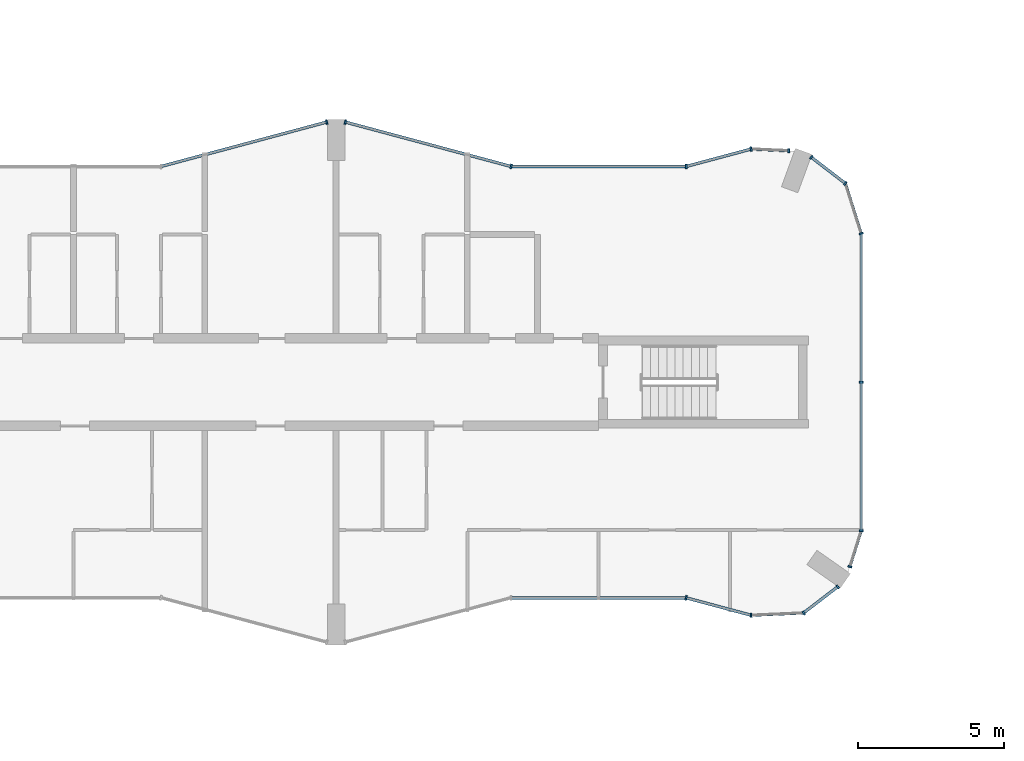
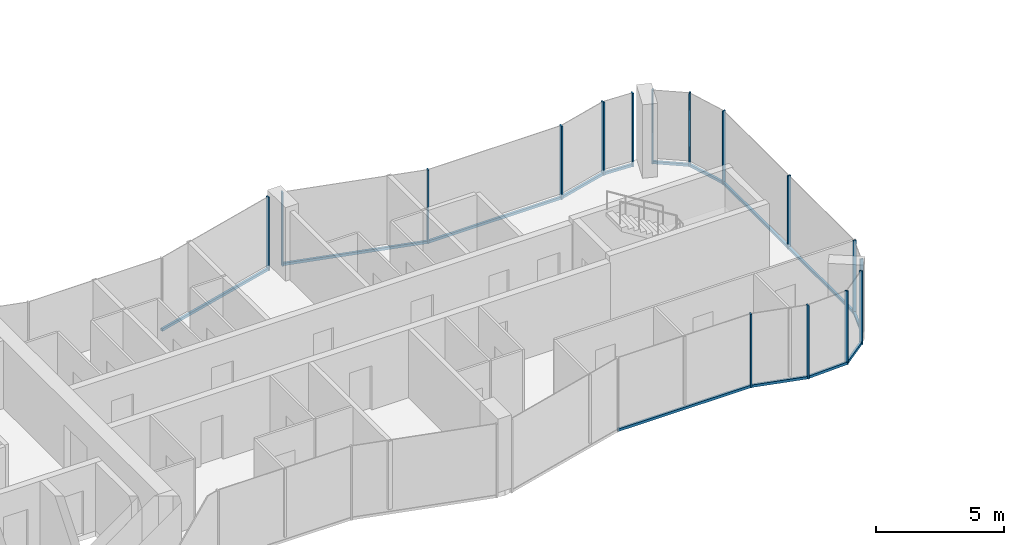
# One storey, part 5 of 22: 29 members, 13 elements without a shape of their own.
"""IFC4 building model written with IfcOpenShell, lengths in metres."""

from ifc_helpers import new_model, si_unit, direction, frame, origin, origin_2d, place, context, subcontext, project, spatial, rectangle, extrude, material, layer, layer_set, material_profile, profile_set, type_object, element, aggregate, save


model = new_model("IFC4")

# Units and contexts
model_context = context("Model", 3, precision=1e-05, world=origin(), true_north=direction((0.0, 1.0)))
body_context = subcontext(model_context, "Body", "Model", "MODEL_VIEW")
ifc_project = project(units=[si_unit("LENGTHUNIT", "METRE"), si_unit("AREAUNIT", "SQUARE_METRE"), si_unit("VOLUMEUNIT", "CUBIC_METRE"), si_unit("PLANEANGLEUNIT", "RADIAN"), si_unit("MASSUNIT", "GRAM", prefix="KILO")], contexts=[model_context])

# Site, building, storey
site_placement = place(None, origin())
site = spatial("IfcSite", under=ifc_project, at=site_placement, CompositionType="ELEMENT")
building_placement = place(site_placement, origin())
building = spatial("IfcBuilding", under=site, at=building_placement, Name="Plateau Cross Towers", CompositionType="ELEMENT")
storey_placement = place(building_placement, frame((0.0, 0.0, 99.300048828125)))
storey = spatial("IfcBuildingStorey", under=building, at=storey_placement, Name="L25", CompositionType="ELEMENT", Elevation=99.300048828125)

# Curtain wall, member
ifc_material_1 = material(Name="Dark low-iron glass", Category="glass")
ifc_layer_1 = layer(ifc_material_1, 0.239990234375)
ifc_layer_set_1 = layer_set([ifc_layer_1], Name="Dark low-iron glass")
curtain_wall_type_1 = type_object("IfcCurtainWallType", Name="Curtain wall flush unitised CW-B", PredefinedType="NOTDEFINED", material=ifc_layer_set_1)
curtain_wall_1_placement = place(storey_placement, origin())
curtain_wall_1 = element("IfcCurtainWall", 1, at=curtain_wall_1_placement, inside=storey, type_object=curtain_wall_type_1, Name="ENV/A/L25/A502_10", PredefinedType="NOTDEFINED")
ifc_material_2 = material(Name="Black anodised aluminium", Category="aluminium")
ifc_material_profile_1 = material_profile(ifc_material_2, rectangle(XDim=0.06005859375, YDim=0.139892578125, at=origin_2d()), Name="MULLION 60x140")
ifc_profile_set_1 = profile_set([ifc_material_profile_1], Name="Black anodised aluminium")
member_type_1 = type_object("IfcMemberType", Name="Mullion 60x140 flush unitised", PredefinedType="MULLION", material=ifc_profile_set_1)
member_1_placement = place(storey_placement, frame((50.223876953125, 1.01123046875, -0.25), z_axis=(0.0, 0.0, 1.0), x_axis=(0.999043701491, 0.043722791671, 0.0)))
member_1 = element("IfcMember", 2, at=member_1_placement, type_object=member_type_1, Name="CW-B mullion 1", PredefinedType="MULLION", context=body_context, shape_type="SweptSolid", body=[
    extrude(rectangle(XDim=0.06005859375, YDim=0.139892578125, at=origin_2d()), origin(), (0.0, 0.0, 1.0), 3.5),
])

# Curtain wall, members
curtain_wall_2_placement = place(storey_placement, origin())
curtain_wall_2 = element("IfcCurtainWall", 3, at=curtain_wall_2_placement, inside=storey, type_object=curtain_wall_type_1, Name="ENV/A/L25/A520_11", PredefinedType="NOTDEFINED")
member_2_placement = place(storey_placement, frame((52.0263671875, 1.090087890625, -0.25), z_axis=(0.0, 0.0, 1.0), x_axis=(0.793315514529, 0.608810721331, 0.0)))
member_2 = element("IfcMember", 4, at=member_2_placement, type_object=member_type_1, Name="CW-B mullion 1", PredefinedType="MULLION", context=body_context, shape_type="SweptSolid", body=[
    extrude(rectangle(XDim=0.06005859375, YDim=0.139892578125, at=origin_2d()), origin(), (0.0, 0.0, 1.0), 3.5),
])
member_3_placement = place(storey_placement, frame((53.193603515625, 1.986083984375, -0.25), z_axis=(0.0, 0.0, 1.0), x_axis=(0.793315514529, 0.608810721331, 0.0)))
member_3 = element("IfcMember", 5, at=member_3_placement, type_object=member_type_1, Name="CW-B mullion 2", PredefinedType="MULLION", context=body_context, shape_type="SweptSolid", body=[
    extrude(rectangle(XDim=0.06005859375, YDim=0.139892578125, at=origin_2d()), origin(), (0.0, 0.0, 1.0), 3.5),
])

# Curtain wall, member
curtain_wall_3_placement = place(storey_placement, origin())
curtain_wall_3 = element("IfcCurtainWall", 6, at=curtain_wall_3_placement, inside=storey, type_object=curtain_wall_type_1, Name="ENV/A/L25/A536_27", PredefinedType="NOTDEFINED")
member_4_placement = place(storey_placement, frame((53.611083984375, 2.67529296875, -0.25), z_axis=(0.0, 0.0, 1.0), x_axis=(0.300686174994, 0.95372313811, 0.0)))
member_4 = element("IfcMember", 7, at=member_4_placement, type_object=member_type_1, Name="CW-B mullion 1", PredefinedType="MULLION", context=body_context, shape_type="SweptSolid", body=[
    extrude(rectangle(XDim=0.06005859375, YDim=0.139892578125, at=origin_2d()), origin(), (0.0, 0.0, 1.0), 3.5),
])

# Curtain wall, members
curtain_wall_4_placement = place(storey_placement, origin())
curtain_wall_4 = element("IfcCurtainWall", 8, at=curtain_wall_4_placement, inside=storey, type_object=curtain_wall_type_1, Name="ENV/A/L25/A540_39", PredefinedType="NOTDEFINED")
member_5_placement = place(storey_placement, frame((54.0, 3.9091796875, -0.25), z_axis=(0.0, 0.0, 1.0), x_axis=(0.0, 1.0, 0.0)))
member_5 = element("IfcMember", 9, at=member_5_placement, type_object=member_type_1, Name="CW-B mullion 1", PredefinedType="MULLION", context=body_context, shape_type="SweptSolid", body=[
    extrude(rectangle(XDim=0.06005859375, YDim=0.139892578125, at=origin_2d()), origin(), (0.0, 0.0, 1.0), 3.5),
])
member_6_placement = place(storey_placement, frame((54.0, 9.0, -0.25), z_axis=(0.0, 0.0, 1.0), x_axis=(0.0, 1.0, 0.0)))
member_6 = element("IfcMember", 10, at=member_6_placement, type_object=member_type_1, Name="CW-B mullion 2", PredefinedType="MULLION", context=body_context, shape_type="SweptSolid", body=[
    extrude(rectangle(XDim=0.06005859375, YDim=0.139892578125, at=origin_2d()), origin(), (0.0, 0.0, 1.0), 3.5),
])

# Curtain wall, member
curtain_wall_5_placement = place(storey_placement, origin())
curtain_wall_5 = element("IfcCurtainWall", 11, at=curtain_wall_5_placement, inside=storey, type_object=curtain_wall_type_1, Name="ENV/A/L25/A540_141", PredefinedType="NOTDEFINED")
member_7_placement = place(storey_placement, frame((54.0, 14.0908203125, -0.25), z_axis=(0.0, 0.0, 1.0), x_axis=(-0.300686174994, 0.95372313811, 0.0)))
member_7 = element("IfcMember", 12, at=member_7_placement, type_object=member_type_1, Name="CW-B mullion 1", PredefinedType="MULLION", context=body_context, shape_type="SweptSolid", body=[
    extrude(rectangle(XDim=0.06005859375, YDim=0.139892578125, at=origin_2d()), origin(), (0.0, 0.0, 1.0), 3.5),
])

# Curtain wall, members
curtain_wall_6_placement = place(storey_placement, origin())
curtain_wall_6 = element("IfcCurtainWall", 13, at=curtain_wall_6_placement, inside=storey, type_object=curtain_wall_type_1, Name="ENV/A/L25/A535_158", PredefinedType="NOTDEFINED")
member_8_placement = place(storey_placement, frame((53.45751953125, 15.8115234375, -0.25), z_axis=(0.0, 0.0, 1.0), x_axis=(-0.793315514529, 0.608810721331, 0.0)))
member_8 = element("IfcMember", 14, at=member_8_placement, type_object=member_type_1, Name="CW-B mullion 1", PredefinedType="MULLION", context=body_context, shape_type="SweptSolid", body=[
    extrude(rectangle(XDim=0.06005859375, YDim=0.139892578125, at=origin_2d()), origin(), (0.0, 0.0, 1.0), 3.5),
])
member_9_placement = place(storey_placement, frame((52.290283203125, 16.707275390625, -0.25), z_axis=(0.0, 0.0, 1.0), x_axis=(-0.793315514529, 0.608810721331, 0.0)))
member_9 = element("IfcMember", 15, at=member_9_placement, type_object=member_type_1, Name="CW-B mullion 2", PredefinedType="MULLION", context=body_context, shape_type="SweptSolid", body=[
    extrude(rectangle(XDim=0.06005859375, YDim=0.139892578125, at=origin_2d()), origin(), (0.0, 0.0, 1.0), 3.5),
])

# Curtain wall, member
curtain_wall_7_placement = place(storey_placement, origin())
curtain_wall_7 = element("IfcCurtainWall", 16, at=curtain_wall_7_placement, inside=storey, type_object=curtain_wall_type_1, Name="ENV/A/L25/A515_169", PredefinedType="NOTDEFINED")
member_10_placement = place(storey_placement, frame((51.516357421875, 16.93212890625, -0.25), z_axis=(0.0, 0.0, 1.0), x_axis=(-0.999043701491, 0.043722791671, 0.0)))
member_10 = element("IfcMember", 17, at=member_10_placement, type_object=member_type_1, Name="CW-B mullion 1", PredefinedType="MULLION", context=body_context, shape_type="SweptSolid", body=[
    extrude(rectangle(XDim=0.06005859375, YDim=0.139892578125, at=origin_2d()), origin(), (0.0, 0.0, 1.0), 3.5),
])

ifc_layer_2 = layer(ifc_material_1, 0.260009765625)
ifc_layer_set_2 = layer_set([ifc_layer_2], Name="Dark low-iron glass")
curtain_wall_type_2 = type_object("IfcCurtainWallType", Name="Curtain wall fluted unitised CW-A", PredefinedType="NOTDEFINED", material=ifc_layer_set_2)
curtain_wall_8_placement = place(storey_placement, origin())
curtain_wall_8 = element("IfcCurtainWall", 18, at=curtain_wall_8_placement, inside=storey, type_object=curtain_wall_type_2, Name="ENV/A/L25/A480_16", PredefinedType="NOTDEFINED")
ifc_material_profile_2 = material_profile(ifc_material_2, rectangle(XDim=0.06005859375, YDim=0.159912109375, at=origin_2d()), Name="MULLION 60x160")
ifc_profile_set_2 = profile_set([ifc_material_profile_2], Name="Black anodised aluminium")
member_type_2 = type_object("IfcMemberType", Name="Mullion 60x160 fluted unitised", PredefinedType="MULLION", material=ifc_profile_set_2)
member_11_placement = place(storey_placement, frame((48.0, 1.60693359375, -0.25), z_axis=(0.0, 0.0, 1.0), x_axis=(0.965957962328, -0.258699081978, 0.0)))
member_11 = element("IfcMember", 19, at=member_11_placement, type_object=member_type_2, Name="CW-A mullion 1", PredefinedType="MULLION", context=body_context, shape_type="SweptSolid", body=[
    extrude(rectangle(XDim=0.06005859375, YDim=0.159912109375, at=origin_2d()), origin(), (0.0, 0.0, 1.0), 3.5),
])

curtain_wall_9_placement = place(storey_placement, origin())
curtain_wall_9 = element("IfcCurtainWall", 20, at=curtain_wall_9_placement, inside=storey, type_object=curtain_wall_type_2, Name="ENV/A/L25/A502_170", PredefinedType="NOTDEFINED")
member_12_placement = place(storey_placement, frame((50.223876953125, 16.98876953125, -0.25), z_axis=(0.0, 0.0, 1.0), x_axis=(-0.965957962328, -0.258699081978, 0.0)))
member_12 = element("IfcMember", 21, at=member_12_placement, type_object=member_type_2, Name="CW-A mullion 1", PredefinedType="MULLION", context=body_context, shape_type="SweptSolid", body=[
    extrude(rectangle(XDim=0.06005859375, YDim=0.159912109375, at=origin_2d()), origin(), (0.0, 0.0, 1.0), 3.5),
])

curtain_wall_10_placement = place(storey_placement, origin())
curtain_wall_10 = element("IfcCurtainWall", 22, at=curtain_wall_10_placement, inside=storey, type_object=curtain_wall_type_2, Name="ENV/A/L25/A480_164", PredefinedType="NOTDEFINED")
member_13_placement = place(storey_placement, frame((48.0, 16.39306640625, -0.25), z_axis=(0.0, 0.0, 1.0), x_axis=(-1.0, 0.0, 0.0)))
member_13 = element("IfcMember", 23, at=member_13_placement, type_object=member_type_2, Name="CW-A mullion 1", PredefinedType="MULLION", context=body_context, shape_type="SweptSolid", body=[
    extrude(rectangle(XDim=0.06005859375, YDim=0.159912109375, at=origin_2d()), origin(), (0.0, 0.0, 1.0), 3.5),
])

# Curtain wall, members
curtain_wall_11_placement = place(storey_placement, origin())
curtain_wall_11 = element("IfcCurtainWall", 24, at=curtain_wall_11_placement, inside=storey, type_object=curtain_wall_type_2, Name="ENV/A/L25/A420_164", PredefinedType="NOTDEFINED")
member_14_placement = place(storey_placement, frame((42.0, 16.39306640625, -0.25), z_axis=(0.0, 0.0, 1.0), x_axis=(-0.965957983404, 0.258699003279, 0.0)))
member_14 = element("IfcMember", 25, at=member_14_placement, type_object=member_type_2, Name="CW-A mullion 1", PredefinedType="MULLION", context=body_context, shape_type="SweptSolid", body=[
    extrude(rectangle(XDim=0.06005859375, YDim=0.159912109375, at=origin_2d()), origin(), (0.0, 0.0, 1.0), 3.5),
])
member_15_placement = place(storey_placement, frame((36.31787109375, 17.914794921875, -0.25), z_axis=(0.0, 0.0, 1.0), x_axis=(-0.965957983404, 0.258699003279, 0.0)))
member_15 = element("IfcMember", 26, at=member_15_placement, type_object=member_type_2, Name="CW-A mullion 2", PredefinedType="MULLION", context=body_context, shape_type="SweptSolid", body=[
    extrude(rectangle(XDim=0.06005859375, YDim=0.159912109375, at=origin_2d()), origin(), (0.0, 0.0, 1.0), 3.5),
])

# Curtain wall, member
curtain_wall_12_placement = place(storey_placement, origin())
curtain_wall_12 = element("IfcCurtainWall", 27, at=curtain_wall_12_placement, inside=storey, type_object=curtain_wall_type_2, Name="ENV/A/L25/A357_179", PredefinedType="NOTDEFINED")
member_16_placement = place(storey_placement, frame((35.68212890625, 17.914794921875, -0.25), z_axis=(0.0, 0.0, 1.0), x_axis=(-0.965957983404, -0.258699003279, 0.0)))
member_16 = element("IfcMember", 28, at=member_16_placement, type_object=member_type_2, Name="CW-A mullion 1", PredefinedType="MULLION", context=body_context, shape_type="SweptSolid", body=[
    extrude(rectangle(XDim=0.06005859375, YDim=0.159912109375, at=origin_2d()), origin(), (0.0, 0.0, 1.0), 3.5),
])

# Member
ifc_material_profile_3 = material_profile(ifc_material_2, rectangle(XDim=0.10009765625, YDim=0.1201171875, at=origin_2d()), Name="TRANSOM 100x120")
ifc_profile_set_3 = profile_set([ifc_material_profile_3], Name="Black anodised aluminium")
member_type_3 = type_object("IfcMemberType", Name="Transom 100x120 flush unitised", PredefinedType="USERDEFINED", material=ifc_profile_set_3)
member_17_placement = place(storey_placement, frame((50.223876953125, 1.01123046875, -0.18994140625), z_axis=(0.999044377355, 0.043707345779, 0.0), x_axis=(-0.043707345779, 0.999044377355, 0.0)))
member_17 = element("IfcMember", 29, at=member_17_placement, type_object=member_type_3, Name="CW-B transom", ObjectType="TRANSOM", PredefinedType="USERDEFINED", context=body_context, shape_type="SweptSolid", body=[
    extrude(rectangle(XDim=0.10009765625, YDim=0.1201171875, at=origin_2d()), origin(), (0.0, 0.0, 1.0), 1.80419921875),
])

aggregate(curtain_wall_1, [member_1, member_17])

member_18_placement = place(storey_placement, frame((52.0263671875, 1.090087890625, -0.18994140625), z_axis=(0.793240368515, 0.608908628415, 0.0), x_axis=(-0.608908628415, 0.793240368515, 0.0)))
member_18 = element("IfcMember", 30, at=member_18_placement, type_object=member_type_3, Name="CW-B transom", ObjectType="TRANSOM", PredefinedType="USERDEFINED", context=body_context, shape_type="SweptSolid", body=[
    extrude(rectangle(XDim=0.10009765625, YDim=0.1201171875, at=origin_2d()), origin(), (0.0, 0.0, 1.0), 1.471435546875),
])

aggregate(curtain_wall_2, [member_2, member_3, member_18])

member_19_placement = place(storey_placement, frame((53.611083984375, 2.67529296875, -0.18994140625), z_axis=(0.300616528216, 0.953745093284, 0.0), x_axis=(-0.953745093284, 0.300616528216, 0.0)))
member_19 = element("IfcMember", 31, at=member_19_placement, type_object=member_type_3, Name="CW-B transom", ObjectType="TRANSOM", PredefinedType="USERDEFINED", context=body_context, shape_type="SweptSolid", body=[
    extrude(rectangle(XDim=0.10009765625, YDim=0.1201171875, at=origin_2d()), origin(), (0.0, 0.0, 1.0), 1.293701171875),
])

aggregate(curtain_wall_3, [member_4, member_19])

member_20_placement = place(storey_placement, frame((54.0, 3.9091796875, -0.18994140625), z_axis=(0.0, 1.0, 0.0), x_axis=(-1.0, 0.0, 0.0)))
member_20 = element("IfcMember", 32, at=member_20_placement, type_object=member_type_3, Name="CW-B transom", ObjectType="TRANSOM", PredefinedType="USERDEFINED", context=body_context, shape_type="SweptSolid", body=[
    extrude(rectangle(XDim=0.10009765625, YDim=0.1201171875, at=origin_2d()), origin(), (0.0, 0.0, 1.0), 10.181640625),
])

aggregate(curtain_wall_4, [member_5, member_6, member_20])

member_21_placement = place(storey_placement, frame((54.0, 14.0908203125, -0.18994140625), z_axis=(-0.30067799945, 0.953725715626, 0.0), x_axis=(-0.953725715626, -0.30067799945, 0.0)))
member_21 = element("IfcMember", 33, at=member_21_placement, type_object=member_type_3, Name="CW-B transom", ObjectType="TRANSOM", PredefinedType="USERDEFINED", context=body_context, shape_type="SweptSolid", body=[
    extrude(rectangle(XDim=0.10009765625, YDim=0.1201171875, at=origin_2d()), origin(), (0.0, 0.0, 1.0), 1.80419921875),
])

aggregate(curtain_wall_5, [member_7, member_21])

member_22_placement = place(storey_placement, frame((53.45751953125, 15.8115234375, -0.18994140625), z_axis=(-0.793320508571, 0.608804213751, 0.0), x_axis=(-0.608804213751, -0.793320508571, 0.0)))
member_22 = element("IfcMember", 34, at=member_22_placement, type_object=member_type_3, Name="CW-B transom", ObjectType="TRANSOM", PredefinedType="USERDEFINED", context=body_context, shape_type="SweptSolid", body=[
    extrude(rectangle(XDim=0.10009765625, YDim=0.1201171875, at=origin_2d()), origin(), (0.0, 0.0, 1.0), 1.471435546875),
])

aggregate(curtain_wall_6, [member_8, member_9, member_22])

member_23_placement = place(storey_placement, frame((51.516357421875, 16.93212890625, -0.18994140625), z_axis=(-0.999041144614, 0.043781175963, 0.0), x_axis=(-0.043781175963, -0.999041144614, 0.0)))
member_23 = element("IfcMember", 35, at=member_23_placement, type_object=member_type_3, Name="CW-B transom", ObjectType="TRANSOM", PredefinedType="USERDEFINED", context=body_context, shape_type="SweptSolid", body=[
    extrude(rectangle(XDim=0.10009765625, YDim=0.1201171875, at=origin_2d()), origin(), (0.0, 0.0, 1.0), 1.293701171875),
])

aggregate(curtain_wall_7, [member_10, member_23])

# Curtain wall, member
curtain_wall_13_placement = place(storey_placement, origin())
curtain_wall_13 = element("IfcCurtainWall", 36, at=curtain_wall_13_placement, inside=storey, type_object=curtain_wall_type_2, Name="ENV/A/L25/A420_16", PredefinedType="NOTDEFINED")
ifc_material_profile_4 = material_profile(ifc_material_2, rectangle(XDim=0.10009765625, YDim=0.1201171875, at=origin_2d()), Name="TRANSOM 100x120")
ifc_profile_set_4 = profile_set([ifc_material_profile_4], Name="Black anodised aluminium")
member_type_4 = type_object("IfcMemberType", Name="Transom 100x120 fluted unitised", PredefinedType="USERDEFINED", material=ifc_profile_set_4)
member_24_placement = place(storey_placement, frame((42.0, 1.60693359375, -0.18994140625), z_axis=(1.0, 0.0, 0.0), x_axis=(0.0, 1.0, 0.0)))
member_24 = element("IfcMember", 37, at=member_24_placement, type_object=member_type_4, Name="CW-A transom", ObjectType="TRANSOM", PredefinedType="USERDEFINED", context=body_context, shape_type="SweptSolid", body=[
    extrude(rectangle(XDim=0.10009765625, YDim=0.1201171875, at=origin_2d()), origin(), (0.0, 0.0, 1.0), 6.0),
])
aggregate(curtain_wall_13, [member_24])

# Member
member_25_placement = place(storey_placement, frame((48.0, 1.60693359375, -0.18994140625), z_axis=(0.965945685136, -0.258744919501, 0.0), x_axis=(0.258744919501, 0.965945685136, 0.0)))
member_25 = element("IfcMember", 38, at=member_25_placement, type_object=member_type_4, Name="CW-A transom", ObjectType="TRANSOM", PredefinedType="USERDEFINED", context=body_context, shape_type="SweptSolid", body=[
    extrude(rectangle(XDim=0.10009765625, YDim=0.1201171875, at=origin_2d()), origin(), (0.0, 0.0, 1.0), 2.30224609375),
])

aggregate(curtain_wall_8, [member_11, member_25])

member_26_placement = place(storey_placement, frame((50.223876953125, 16.98876953125, -0.18994140625), z_axis=(-0.965945685136, -0.258744919501, 0.0), x_axis=(0.258744919501, -0.965945685136, 0.0)))
member_26 = element("IfcMember", 39, at=member_26_placement, type_object=member_type_4, Name="CW-A transom", ObjectType="TRANSOM", PredefinedType="USERDEFINED", context=body_context, shape_type="SweptSolid", body=[
    extrude(rectangle(XDim=0.10009765625, YDim=0.1201171875, at=origin_2d()), origin(), (0.0, 0.0, 1.0), 2.30224609375),
])

aggregate(curtain_wall_9, [member_12, member_26])

member_27_placement = place(storey_placement, frame((48.0, 16.39306640625, -0.18994140625), z_axis=(-1.0, 0.0, 0.0), x_axis=(0.0, -1.0, 0.0)))
member_27 = element("IfcMember", 40, at=member_27_placement, type_object=member_type_4, Name="CW-A transom", ObjectType="TRANSOM", PredefinedType="USERDEFINED", context=body_context, shape_type="SweptSolid", body=[
    extrude(rectangle(XDim=0.10009765625, YDim=0.1201171875, at=origin_2d()), origin(), (0.0, 0.0, 1.0), 6.0),
])

aggregate(curtain_wall_10, [member_13, member_27])

member_28_placement = place(storey_placement, frame((42.0, 16.39306640625, -0.18994140625), z_axis=(-0.965959534794, 0.258693210465, 0.0), x_axis=(-0.258693210465, -0.965959534794, 0.0)))
member_28 = element("IfcMember", 41, at=member_28_placement, type_object=member_type_4, Name="CW-A transom", ObjectType="TRANSOM", PredefinedType="USERDEFINED", context=body_context, shape_type="SweptSolid", body=[
    extrude(rectangle(XDim=0.10009765625, YDim=0.1201171875, at=origin_2d()), origin(), (0.0, 0.0, 1.0), 5.88232421875),
])

aggregate(curtain_wall_11, [member_14, member_15, member_28])

member_29_placement = place(storey_placement, frame((35.68212890625, 17.914794921875, -0.18994140625), z_axis=(-0.965959534794, -0.258693210465, 0.0), x_axis=(0.258693210465, -0.965959534794, 0.0)))
member_29 = element("IfcMember", 42, at=member_29_placement, type_object=member_type_4, Name="CW-A transom", ObjectType="TRANSOM", PredefinedType="USERDEFINED", context=body_context, shape_type="SweptSolid", body=[
    extrude(rectangle(XDim=0.10009765625, YDim=0.1201171875, at=origin_2d()), origin(), (0.0, 0.0, 1.0), 5.88232421875),
])

aggregate(curtain_wall_12, [member_16, member_29])

save(model, "model.ifc")
